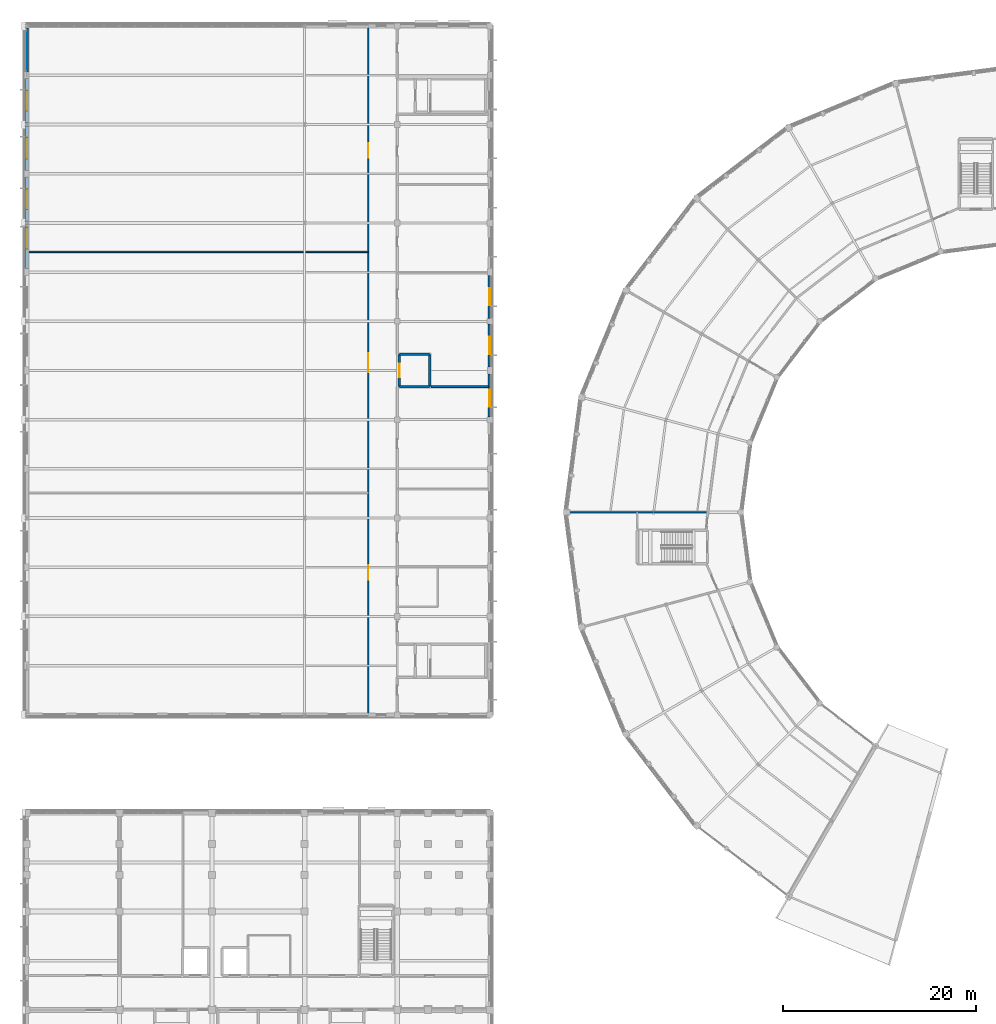
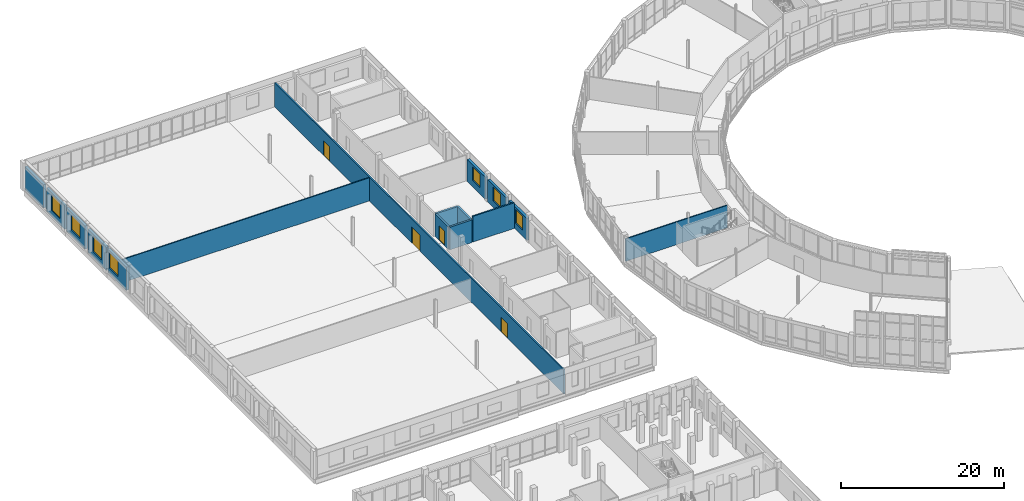
# One storey, part 161 of 185: 16 walls, 7 windows, 4 doors, 11 openings.
"""IFC4 building model written with IfcOpenShell, lengths in metres."""

import ifcopenshell
import ifcopenshell.guid

model = None  # the IFC model being written
_history = None  # IfcOwnerHistory: only IFC2X3 demands one
_inside = {}  # id of a spatial element -> (the spatial element, [elements in it])
_under = {}  # id of a project, library or spatial element -> (it, [spatial elements below it])
_declared = {}  # id of a project -> (the project, [libraries it declares])
_typed = {}  # id of a type object -> (the type object, [elements of that type])
_made_of = {}  # id of a material, layer set ... -> (it, [elements and type objects made of it])


def new_model(schema):
    """Start an empty IFC model of exactly this schema.

    Asked for "IFC4X3", IfcOpenShell would pick the latest addendum, in which some entities
    have other attributes; the version numbers below select the first issue.
    IFC2X3 requires an IfcOwnerHistory on every rooted entity: one is made here for all.
    """
    global model, _history
    if schema == "IFC4X3":
        model = ifcopenshell.file(schema_version=(4, 3, 0, 0))
    else:
        model = ifcopenshell.file(schema=schema)
    _inside.clear()
    _under.clear()
    _declared.clear()
    _typed.clear()
    _made_of.clear()
    _history = None
    if model.schema == "IFC2X3":
        org = make("IfcOrganization", Name="unknown")
        user = make(
            "IfcPersonAndOrganization",
            ThePerson=make("IfcPerson", FamilyName="unknown"),
            TheOrganization=org,
        )
        app = make(
            "IfcApplication",
            ApplicationDeveloper=org,
            Version="unknown",
            ApplicationFullName="unknown",
            ApplicationIdentifier="unknown",
        )
        _history = make(
            "IfcOwnerHistory",
            OwningUser=user,
            OwningApplication=app,
            ChangeAction="ADDED",
            CreationDate=0,
        )
    return model


def make(cls, **values):
    """One entity of the class cls with the attributes given. An attribute that is None is left unset."""
    return model.create_entity(
        cls, **{name: value for name, value in values.items() if value is not None}
    )


def rooted(cls, **values):
    """An entity with a GlobalId (a new one), such as an element, a storey or a relation."""
    return make(cls, GlobalId=ifcopenshell.guid.new(), OwnerHistory=_history, **values)


def si_unit(unit_type, name, prefix=None):
    """IfcSIUnit, for example si_unit("LENGTHUNIT", "METRE", prefix="MILLI")."""
    return make("IfcSIUnit", UnitType=unit_type, Prefix=prefix, Name=name)


def assignment(units):
    """IfcUnitAssignment: the units of a project."""
    return None if units is None else make("IfcUnitAssignment", Units=units)


def point(xyz):
    """IfcCartesianPoint."""
    return None if xyz is None else make("IfcCartesianPoint", Coordinates=xyz)


def direction(xyz):
    """IfcDirection."""
    return None if xyz is None else make("IfcDirection", DirectionRatios=xyz)


def frame(location, z_axis=None, x_axis=None):
    """IfcAxis2Placement3D, a coordinate frame: its origin and axes. An axis left out is left unset."""
    return make(
        "IfcAxis2Placement3D",
        Location=point(location),
        Axis=direction(z_axis),
        RefDirection=direction(x_axis),
    )


def frame_2d(location, x_axis=None):
    """IfcAxis2Placement2D, a coordinate frame in the plane: its origin and x axis."""
    return make(
        "IfcAxis2Placement2D", Location=point(location), RefDirection=direction(x_axis)
    )


def origin():
    """The frame at (0, 0, 0) with its axes left unset."""
    return frame((0.0, 0.0, 0.0))


def place(relative_to, where):
    """IfcLocalPlacement: puts the frame where relative to a parent placement (None: the world)."""
    return make(
        "IfcLocalPlacement", PlacementRelTo=relative_to, RelativePlacement=where
    )


def context(
    kind, dimensions, precision=None, world=None, true_north=None, identifier=None
):
    """IfcGeometricRepresentationContext, for example the 3D "Model" context."""
    return make(
        "IfcGeometricRepresentationContext",
        ContextIdentifier=identifier,
        ContextType=kind,
        CoordinateSpaceDimension=dimensions,
        Precision=precision,
        WorldCoordinateSystem=world,
        TrueNorth=true_north,
    )


def subcontext(parent, identifier, kind, view, scale=None):
    """IfcGeometricRepresentationSubContext, for example "Body" below "Model"."""
    return make(
        "IfcGeometricRepresentationSubContext",
        ContextIdentifier=identifier,
        ContextType=kind,
        ParentContext=parent,
        TargetScale=scale,
        TargetView=view,
    )


def project(units=None, contexts=None):
    """IfcProject with its units and contexts."""
    return rooted(
        "IfcProject",
        Name="project",
        RepresentationContexts=contexts,
        UnitsInContext=assignment(units),
    )


def spatial(cls, under=None, at=None, **own):
    """A site, building, storey or space (cls), placed at a placement, below another one or the project."""
    s = rooted(cls, ObjectPlacement=at, **own)
    if under is not None:
        _under.setdefault(under.id(), (under, []))[1].append(s)
    return s


def profile(cls, at=None, kind="AREA", **sizes):
    """A parametric profile (cls). Its sizes go by their IFC names, for example OverallWidth=200.0."""
    return make(cls, ProfileType=kind, Position=at, **sizes)


def rectangle(**sizes):
    """IfcRectangleProfileDef."""
    return profile("IfcRectangleProfileDef", **sizes)


def extrude(swept, where, along, depth):
    """IfcExtrudedAreaSolid: the profile swept, set in the frame where, extruded along a direction by depth."""
    return make(
        "IfcExtrudedAreaSolid",
        SweptArea=swept,
        Position=where,
        ExtrudedDirection=direction(along),
        Depth=depth,
    )


def shape(context_of_items, identifier, shape_type, items):
    """IfcShapeRepresentation: the items that make up one representation, for example the "Body"."""
    return make(
        "IfcShapeRepresentation",
        ContextOfItems=context_of_items,
        RepresentationIdentifier=identifier,
        RepresentationType=shape_type,
        Items=items,
    )


def material(Name=None, Category=None):
    """IfcMaterial."""
    return make("IfcMaterial", Name=Name, Category=Category)


def layer(
    of_material, thickness, ventilated=None, Name=None, Category=None, Priority=None
):
    """IfcMaterialLayer: one layer of a wall or slab, of a material (None: an air gap)."""
    return make(
        "IfcMaterialLayer",
        Material=of_material,
        LayerThickness=thickness,
        IsVentilated=ventilated,
        Name=Name,
        Category=Category,
        Priority=Priority,
    )


def layer_set(layers, Name=None):
    """IfcMaterialLayerSet."""
    return make("IfcMaterialLayerSet", MaterialLayers=layers, LayerSetName=Name)


def made_of(thing, what):
    """Note that an element or type object is made of a material, layer set ...; save() writes the relation."""
    if what is not None:
        _made_of.setdefault(what.id(), (what, []))[1].append(thing)
    return thing


def type_object(cls, material=None, **own):
    """A type object (cls), such as IfcWallType, which elements share."""
    return made_of(rooted(cls, **own), material)


def element(
    cls,
    number,
    at=None,
    inside=None,
    cuts=None,
    type_object=None,
    material=None,
    context=None,
    identifier="Body",
    shape_type=None,
    held_by="IfcProductDefinitionShape",
    body=None,
    shapes=None,
    **own,
):
    """One element of the class cls, such as IfcWall. Its Tag is "e" and its number.

    at: its placement. inside: the storey or other place that contains it. cuts: it is an
    opening in that element (IfcRelVoidsElement). A single representation is given by context,
    identifier, shape_type and body (its items); several are given by shapes. held_by: the class
    of the entity that holds the representations. save() writes the other relations.
    """
    e = rooted(cls, Tag="e%d" % number, ObjectPlacement=at, **own)
    if body is not None:
        shapes = [shape(context, identifier, shape_type, body)]
    if shapes is not None:
        e.Representation = make(held_by, Representations=shapes)
    if inside is not None:
        _inside.setdefault(inside.id(), (inside, []))[1].append(e)
    if cuts is not None:
        rooted(
            "IfcRelVoidsElement", RelatingBuildingElement=cuts, RelatedOpeningElement=e
        )
    if type_object is not None:
        _typed.setdefault(type_object.id(), (type_object, []))[1].append(e)
    return made_of(e, material)


def fill(opening, filler):
    """IfcRelFillsElement: the door or window that sits in an opening."""
    return rooted(
        "IfcRelFillsElement",
        RelatingOpeningElement=opening,
        RelatedBuildingElement=filler,
    )


def aggregate(whole, parts):
    """IfcRelAggregates: a whole, such as a stair, and the parts it consists of."""
    return rooted("IfcRelAggregates", RelatingObject=whole, RelatedObjects=parts)


def save(model, path):
    """Write the relations noted so far, then the file.

    IfcRelAggregates (storeys below a building ...), IfcRelContainedInSpatialStructure (elements
    in a storey), IfcRelDefinesByType, IfcRelAssociatesMaterial and IfcRelDeclares: one each for
    every whole, place, type object, material and project.
    """
    for whole, parts in _under.values():
        aggregate(whole, parts)
    for where, things in _inside.values():
        rooted(
            "IfcRelContainedInSpatialStructure",
            RelatedElements=things,
            RelatingStructure=where,
        )
    for kind, things in _typed.values():
        rooted("IfcRelDefinesByType", RelatedObjects=things, RelatingType=kind)
    for what, things in _made_of.values():
        rooted("IfcRelAssociatesMaterial", RelatedObjects=things, RelatingMaterial=what)
    for by, libraries in _declared.values():
        rooted("IfcRelDeclares", RelatingContext=by, RelatedDefinitions=libraries)
    model.write(path)


model = new_model("IFC4")

# Units and contexts
model_context = context("Model", 3, precision=1e-05, world=origin(), true_north=direction((0.0, 1.0)))
body_context = subcontext(model_context, "Body", "Model", "MODEL_VIEW")
ifc_project = project(units=[si_unit("LENGTHUNIT", "METRE"), si_unit("AREAUNIT", "SQUARE_METRE"), si_unit("VOLUMEUNIT", "CUBIC_METRE"), si_unit("PLANEANGLEUNIT", "RADIAN"), si_unit("MASSUNIT", "GRAM", prefix="KILO")], contexts=[model_context])

# Site, building, storey
site_placement = place(None, origin())
site = spatial("IfcSite", under=ifc_project, at=site_placement, CompositionType="ELEMENT")
building_placement = place(site_placement, origin())
building = spatial("IfcBuilding", under=site, at=building_placement, Name="Vondelvale Polytechnic", CompositionType="ELEMENT")
storey_placement = place(building_placement, frame((0.0, 0.0, 9.60009765625)))
storey = spatial("IfcBuildingStorey", under=building, at=storey_placement, Name="L02", CompositionType="ELEMENT", Elevation=9.60009765625)

# Wall, opening, window
ifc_material_1 = material(Name="Amsterdam School iron-spot clinker clay brickwork", Category="masonry")
ifc_layer_1 = layer(ifc_material_1, 0.35009765625)
ifc_layer_set_1 = layer_set([ifc_layer_1], Name="WL-BRICK-350")
wall_type_1 = type_object("IfcWallType", Name="WL-BRICK-350", PredefinedType="SOLIDWALL", material=ifc_layer_set_1)
wall_1_placement = place(storey_placement, frame((0.0, 97.2509765625, 0.0), z_axis=(0.0, 0.0, 1.0), x_axis=(0.0, 1.0, 0.0)))
wall_1 = element("IfcWall", 1, at=wall_1_placement, inside=storey, type_object=wall_type_1, Name="L02 exterior masonry facade wall", PredefinedType="SOLIDWALL", context=body_context, shape_type="SweptSolid", body=[
    extrude(rectangle(XDim=4.58447265625, YDim=0.35009765625, at=frame_2d((2.292236328125, 0.0))), origin(), (0.0, 0.0, 1.0), 3.47998046875),
])
opening_1_placement = place(wall_1_placement, frame((2.069091796875, 0.0, 0.85009765625)))
opening_1 = element("IfcOpeningElement", 2, at=opening_1_placement, cuts=wall_1, Name="Opening WN-0088", PredefinedType="OPENING", context=body_context, shape_type="SweptSolid", body=[
    extrude(rectangle(XDim=2.199951171875, YDim=2.300048828125, at=frame_2d((1.10009765625, 1.14990234375))), frame((0.0, 0.18505859375, 0.0), z_axis=(0.0, -1.0, 0.0), x_axis=(1.0, 0.0, 0.0)), (0.0, 0.0, 1.0), 0.3701171875),
])
ifc_material_2 = material(Name="Double-glazed low-E insulated architectural glass", Category="glass")
window_type_1 = type_object("IfcWindowType", Name="WN-STUDIO-2200x2300", PartitioningType="SINGLE_PANEL", PredefinedType="WINDOW", material=ifc_material_2)
window_1_placement = place(opening_1_placement, origin())
window_1 = element("IfcWindow", 3, at=window_1_placement, inside=storey, type_object=window_type_1, Name="L02 double-glazed architectural window WN-0088", OverallHeight=2.300048828125, OverallWidth=2.199951171875, PartitioningType="SINGLE_PANEL", PredefinedType="WINDOW", context=body_context, shape_type="SweptSolid", body=[
    extrude(rectangle(XDim=2.199951171875, YDim=2.300048828125, at=frame_2d((1.10009765625, 1.14990234375))), frame((0.0, 0.030029296875, 0.0), z_axis=(0.0, -1.0, 0.0), x_axis=(1.0, 0.0, 0.0)), (0.0, 0.0, 1.0), 0.06005859375),
])
fill(opening_1, window_1)

wall_2_placement = place(storey_placement, frame((0.0, 102.16455078125, 0.0), z_axis=(0.0, 0.0, 1.0), x_axis=(0.0, 1.0, 0.0)))
wall_2 = element("IfcWall", 4, at=wall_2_placement, inside=storey, type_object=wall_type_1, Name="L02 exterior masonry facade wall", PredefinedType="SOLIDWALL", context=body_context, shape_type="SweptSolid", body=[
    extrude(rectangle(XDim=4.58447265625, YDim=0.35009765625, at=frame_2d((2.292236328125, 0.0))), origin(), (0.0, 0.0, 1.0), 3.47998046875),
])
opening_2_placement = place(wall_2_placement, frame((1.2421875, 0.0, 0.85009765625)))
opening_2 = element("IfcOpeningElement", 5, at=opening_2_placement, cuts=wall_2, Name="Opening WN-0089", PredefinedType="OPENING", context=body_context, shape_type="SweptSolid", body=[
    extrude(rectangle(XDim=2.10009765625, YDim=2.39990234375, at=frame_2d((1.050048828125, 1.199951171875))), frame((0.0, 0.18505859375, 0.0), z_axis=(0.0, -1.0, 0.0), x_axis=(1.0, 0.0, 0.0)), (0.0, 0.0, 1.0), 0.3701171875),
])
window_type_2 = type_object("IfcWindowType", Name="WN-STUDIO-2100x2400", PartitioningType="SINGLE_PANEL", PredefinedType="WINDOW", material=ifc_material_2)
window_2_placement = place(opening_2_placement, origin())
window_2 = element("IfcWindow", 6, at=window_2_placement, inside=storey, type_object=window_type_2, Name="L02 double-glazed architectural window WN-0089", OverallHeight=2.39990234375, OverallWidth=2.10009765625, PartitioningType="SINGLE_PANEL", PredefinedType="WINDOW", context=body_context, shape_type="SweptSolid", body=[
    extrude(rectangle(XDim=2.10009765625, YDim=2.39990234375, at=frame_2d((1.050048828125, 1.199951171875))), frame((0.0, 0.030029296875, 0.0), z_axis=(0.0, -1.0, 0.0), x_axis=(1.0, 0.0, 0.0)), (0.0, 0.0, 1.0), 0.06005859375),
])
fill(opening_2, window_2)

wall_3_placement = place(storey_placement, frame((0.0, 107.450927734375, 0.0), z_axis=(0.0, 0.0, 1.0), x_axis=(0.0, 1.0, 0.0)))
wall_3 = element("IfcWall", 7, at=wall_3_placement, inside=storey, type_object=wall_type_1, Name="L02 exterior masonry facade wall", PredefinedType="SOLIDWALL", context=body_context, shape_type="SweptSolid", body=[
    extrude(rectangle(XDim=4.58447265625, YDim=0.35009765625, at=frame_2d((2.292236328125, 0.0))), origin(), (0.0, 0.0, 1.0), 3.47998046875),
])
opening_3_placement = place(wall_3_placement, frame((1.1923828125, 0.0, 0.85009765625)))
opening_3 = element("IfcOpeningElement", 8, at=opening_3_placement, cuts=wall_3, Name="Opening WN-0090", PredefinedType="OPENING", context=body_context, shape_type="SweptSolid", body=[
    extrude(rectangle(XDim=2.199951171875, YDim=2.300048828125, at=frame_2d((1.10009765625, 1.14990234375))), frame((0.0, 0.18505859375, 0.0), z_axis=(0.0, -1.0, 0.0), x_axis=(1.0, 0.0, 0.0)), (0.0, 0.0, 1.0), 0.3701171875),
])
window_3_placement = place(opening_3_placement, origin())
window_3 = element("IfcWindow", 9, at=window_3_placement, inside=storey, type_object=window_type_1, Name="L02 double-glazed architectural window WN-0090", OverallHeight=2.300048828125, OverallWidth=2.199951171875, PartitioningType="SINGLE_PANEL", PredefinedType="WINDOW", context=body_context, shape_type="SweptSolid", body=[
    extrude(rectangle(XDim=2.199951171875, YDim=2.300048828125, at=frame_2d((1.10009765625, 1.14990234375))), frame((0.0, 0.030029296875, 0.0), z_axis=(0.0, -1.0, 0.0), x_axis=(1.0, 0.0, 0.0)), (0.0, 0.0, 1.0), 0.06005859375),
])
fill(opening_3, window_3)

wall_4_placement = place(storey_placement, frame((0.0, 112.364501953125, 0.0), z_axis=(0.0, 0.0, 1.0), x_axis=(0.0, 1.0, 0.0)))
wall_4 = element("IfcWall", 10, at=wall_4_placement, inside=storey, type_object=wall_type_1, Name="L02 exterior masonry facade wall", PredefinedType="SOLIDWALL", context=body_context, shape_type="SweptSolid", body=[
    extrude(rectangle(XDim=4.58447265625, YDim=0.35009765625, at=frame_2d((2.292236328125, 0.0))), origin(), (0.0, 0.0, 1.0), 3.47998046875),
])
opening_4_placement = place(wall_4_placement, frame((1.2421875, 0.0, 0.85009765625)))
opening_4 = element("IfcOpeningElement", 11, at=opening_4_placement, cuts=wall_4, Name="Opening WN-0091", PredefinedType="OPENING", context=body_context, shape_type="SweptSolid", body=[
    extrude(rectangle(XDim=2.10009765625, YDim=2.39990234375, at=frame_2d((1.050048828125, 1.199951171875))), frame((0.0, 0.18505859375, 0.0), z_axis=(0.0, -1.0, 0.0), x_axis=(1.0, 0.0, 0.0)), (0.0, 0.0, 1.0), 0.3701171875),
])
window_4_placement = place(opening_4_placement, origin())
window_4 = element("IfcWindow", 12, at=window_4_placement, inside=storey, type_object=window_type_2, Name="L02 double-glazed architectural window WN-0091", OverallHeight=2.39990234375, OverallWidth=2.10009765625, PartitioningType="SINGLE_PANEL", PredefinedType="WINDOW", context=body_context, shape_type="SweptSolid", body=[
    extrude(rectangle(XDim=2.10009765625, YDim=2.39990234375, at=frame_2d((1.050048828125, 1.199951171875))), frame((0.0, 0.030029296875, 0.0), z_axis=(0.0, -1.0, 0.0), x_axis=(1.0, 0.0, 0.0)), (0.0, 0.0, 1.0), 0.06005859375),
])
fill(opening_4, window_4)

# Wall
wall_5_placement = place(storey_placement, frame((0.0, 117.65087890625, 0.0), z_axis=(0.0, 0.0, 1.0), x_axis=(0.0, 1.0, 0.0)))
element("IfcWall", 13, at=wall_5_placement, inside=storey, type_object=wall_type_1, Name="L02 exterior masonry facade wall", PredefinedType="SOLIDWALL", context=body_context, shape_type="SweptSolid", body=[
    extrude(rectangle(XDim=4.584716796875, YDim=0.35009765625, at=frame_2d((2.29248046875, 0.0))), origin(), (0.0, 0.0, 1.0), 3.47998046875),
])

# Wall, opening, window
wall_6_placement = place(storey_placement, frame((48.0, 86.34912109375, 0.0), z_axis=(0.0, 0.0, 1.0), x_axis=(0.0, -1.0, 0.0)))
wall_6 = element("IfcWall", 14, at=wall_6_placement, inside=storey, type_object=wall_type_1, Name="L02 exterior masonry facade wall", PredefinedType="SOLIDWALL", context=body_context, shape_type="SweptSolid", body=[
    extrude(rectangle(XDim=4.4482421875, YDim=0.35009765625, at=frame_2d((2.22412109375, 0.0))), origin(), (0.0, 0.0, 1.0), 3.31982421875),
])
opening_5_placement = place(wall_6_placement, frame((1.64404296875, 0.0, 0.949951171875)))
opening_5 = element("IfcOpeningElement", 15, at=opening_5_placement, cuts=wall_6, Name="Opening WN-0098", PredefinedType="OPENING", context=body_context, shape_type="SweptSolid", body=[
    extrude(rectangle(XDim=1.75, YDim=2.050048828125, at=frame_2d((0.875, 1.02490234375))), frame((0.0, 0.18505859375, 0.0), z_axis=(0.0, -1.0, 0.0), x_axis=(1.0, 0.0, 0.0)), (0.0, 0.0, 1.0), 0.3701171875),
])
window_type_3 = type_object("IfcWindowType", Name="WN-LAB-1750x2050", PartitioningType="SINGLE_PANEL", PredefinedType="WINDOW", material=ifc_material_2)
window_5_placement = place(opening_5_placement, origin())
window_5 = element("IfcWindow", 16, at=window_5_placement, inside=storey, type_object=window_type_3, Name="L02 double-glazed architectural window WN-0098", OverallHeight=2.050048828125, OverallWidth=1.75, PartitioningType="SINGLE_PANEL", PredefinedType="WINDOW", context=body_context, shape_type="SweptSolid", body=[
    extrude(rectangle(XDim=1.75, YDim=2.050048828125, at=frame_2d((0.875, 1.02490234375))), frame((0.0, 0.030029296875, 0.0), z_axis=(0.0, -1.0, 0.0), x_axis=(1.0, 0.0, 0.0)), (0.0, 0.0, 1.0), 0.06005859375),
])
fill(opening_5, window_5)

wall_7_placement = place(storey_placement, frame((48.0, 91.4990234375, 0.0), z_axis=(0.0, 0.0, 1.0), x_axis=(0.0, -1.0, 0.0)))
wall_7 = element("IfcWall", 17, at=wall_7_placement, inside=storey, type_object=wall_type_1, Name="L02 exterior masonry facade wall", PredefinedType="SOLIDWALL", context=body_context, shape_type="SweptSolid", body=[
    extrude(rectangle(XDim=4.447998046875, YDim=0.35009765625, at=frame_2d((2.22412109375, 0.0))), origin(), (0.0, 0.0, 1.0), 3.31982421875),
])
opening_6_placement = place(wall_7_placement, frame((1.323974609375, 0.0, 0.949951171875)))
opening_6 = element("IfcOpeningElement", 18, at=opening_6_placement, cuts=wall_7, Name="Opening WN-0099", PredefinedType="OPENING", context=body_context, shape_type="SweptSolid", body=[
    extrude(rectangle(XDim=1.800048828125, YDim=2.10009765625, at=frame_2d((0.89990234375, 1.050048828125))), frame((0.0, 0.18505859375, 0.0), z_axis=(0.0, -1.0, 0.0), x_axis=(1.0, 0.0, 0.0)), (0.0, 0.0, 1.0), 0.3701171875),
])
window_type_4 = type_object("IfcWindowType", Name="WN-LAB-1800x2100", PartitioningType="SINGLE_PANEL", PredefinedType="WINDOW", material=ifc_material_2)
window_6_placement = place(opening_6_placement, origin())
window_6 = element("IfcWindow", 19, at=window_6_placement, inside=storey, type_object=window_type_4, Name="L02 double-glazed architectural window WN-0099", OverallHeight=2.10009765625, OverallWidth=1.800048828125, PartitioningType="SINGLE_PANEL", PredefinedType="WINDOW", context=body_context, shape_type="SweptSolid", body=[
    extrude(rectangle(XDim=1.800048828125, YDim=2.10009765625, at=frame_2d((0.89990234375, 1.050048828125))), frame((0.0, 0.030029296875, 0.0), z_axis=(0.0, -1.0, 0.0), x_axis=(1.0, 0.0, 0.0)), (0.0, 0.0, 1.0), 0.06005859375),
])
fill(opening_6, window_6)

wall_8_placement = place(storey_placement, frame((48.0, 96.549072265625, 0.0), z_axis=(0.0, 0.0, 1.0), x_axis=(0.0, -1.0, 0.0)))
wall_8 = element("IfcWall", 20, at=wall_8_placement, inside=storey, type_object=wall_type_1, Name="L02 exterior masonry facade wall", PredefinedType="SOLIDWALL", context=body_context, shape_type="SweptSolid", body=[
    extrude(rectangle(XDim=4.447998046875, YDim=0.35009765625, at=frame_2d((2.22412109375, 0.0))), origin(), (0.0, 0.0, 1.0), 3.31982421875),
])
opening_7_placement = place(wall_8_placement, frame((1.34912109375, 0.0, 0.949951171875)))
opening_7 = element("IfcOpeningElement", 21, at=opening_7_placement, cuts=wall_8, Name="Opening WN-0100", PredefinedType="OPENING", context=body_context, shape_type="SweptSolid", body=[
    extrude(rectangle(XDim=1.75, YDim=2.050048828125, at=frame_2d((0.875, 1.02490234375))), frame((0.0, 0.18505859375, 0.0), z_axis=(0.0, -1.0, 0.0), x_axis=(1.0, 0.0, 0.0)), (0.0, 0.0, 1.0), 0.3701171875),
])
window_7_placement = place(opening_7_placement, origin())
window_7 = element("IfcWindow", 22, at=window_7_placement, inside=storey, type_object=window_type_3, Name="L02 double-glazed architectural window WN-0100", OverallHeight=2.050048828125, OverallWidth=1.75, PartitioningType="SINGLE_PANEL", PredefinedType="WINDOW", context=body_context, shape_type="SweptSolid", body=[
    extrude(rectangle(XDim=1.75, YDim=2.050048828125, at=frame_2d((0.875, 1.02490234375))), frame((0.0, 0.030029296875, 0.0), z_axis=(0.0, -1.0, 0.0), x_axis=(1.0, 0.0, 0.0)), (0.0, 0.0, 1.0), 0.06005859375),
])
fill(opening_7, window_7)

# Wall, openings, doors
ifc_material_3 = material(Name="Fire-rated double-layer plasterboard stud partition")
ifc_layer_2 = layer(ifc_material_3, 0.199951171875)
ifc_layer_set_2 = layer_set([ifc_layer_2], Name="WL-CORR-200")
wall_type_2 = type_object("IfcWallType", Name="WL-CORR-200", PredefinedType="PARTITIONING", material=ifc_layer_set_2)
wall_9_placement = place(storey_placement, frame((35.39990234375, 51.14990234375, 0.0), z_axis=(0.0, 0.0, 1.0), x_axis=(0.0, 1.0, 0.0)))
wall_9 = element("IfcWall", 23, at=wall_9_placement, inside=storey, type_object=wall_type_2, Name="L02 interior acoustic partition", PredefinedType="PARTITIONING", context=body_context, shape_type="SweptSolid", body=[
    extrude(rectangle(XDim=71.10009765625, YDim=0.199951171875, at=frame_2d((35.550048828125, 0.0))), origin(), (0.0, 0.0, 1.0), 3.60986328125),
])
opening_8_placement = place(wall_9_placement, frame((13.85009765625, 0.0, 0.0)))
opening_8 = element("IfcOpeningElement", 24, at=opening_8_placement, cuts=wall_9, Name="Opening ID-0117", PredefinedType="OPENING", context=body_context, shape_type="SweptSolid", body=[
    extrude(rectangle(XDim=1.5, YDim=2.199951171875, at=frame_2d((0.75, 1.10009765625))), frame((0.0, 0.10986328125, 0.0), z_axis=(0.0, -1.0, 0.0), x_axis=(1.0, 0.0, 0.0)), (0.0, 0.0, 1.0), 0.219970703125),
])
opening_9_placement = place(wall_9_placement, frame((35.35009765625, 0.0, 0.0)))
opening_9 = element("IfcOpeningElement", 25, at=opening_9_placement, cuts=wall_9, Name="Opening ID-0118", PredefinedType="OPENING", context=body_context, shape_type="SweptSolid", body=[
    extrude(rectangle(XDim=2.0, YDim=2.39990234375, at=frame_2d((1.0, 1.199951171875))), frame((0.0, 0.10986328125, 0.0), z_axis=(0.0, -1.0, 0.0), x_axis=(1.0, 0.0, 0.0)), (0.0, 0.0, 1.0), 0.219970703125),
])
opening_10_placement = place(wall_9_placement, frame((57.60009765625, 0.0, 0.0)))
opening_10 = element("IfcOpeningElement", 26, at=opening_10_placement, cuts=wall_9, Name="Opening ID-0119", PredefinedType="OPENING", context=body_context, shape_type="SweptSolid", body=[
    extrude(rectangle(XDim=1.5, YDim=2.199951171875, at=frame_2d((0.75, 1.10009765625))), frame((0.0, 0.10986328125, 0.0), z_axis=(0.0, -1.0, 0.0), x_axis=(1.0, 0.0, 0.0)), (0.0, 0.0, 1.0), 0.219970703125),
])
ifc_material_4 = material(Name="Fire-rated solid Tasmanian oak joinery")
door_type_1 = type_object("IfcDoorType", Name="DR-LAB-1500x2200", OperationType="DOUBLE_DOOR_SINGLE_SWING", PredefinedType="DOOR", material=ifc_material_4)
door_1_placement = place(opening_8_placement, origin())
door_1 = element("IfcDoor", 27, at=door_1_placement, inside=storey, type_object=door_type_1, Name="L02 interior room door ID-0117", OperationType="DOUBLE_DOOR_SINGLE_SWING", OverallHeight=2.199951171875, OverallWidth=1.5, PredefinedType="DOOR", context=body_context, shape_type="SweptSolid", body=[
    extrude(rectangle(XDim=1.5, YDim=2.199951171875, at=frame_2d((0.75, 1.10009765625))), frame((0.0, 0.02490234375, 0.0), z_axis=(0.0, -1.0, 0.0), x_axis=(1.0, 0.0, 0.0)), (0.0, 0.0, 1.0), 0.050048828125),
])
fill(opening_8, door_1)
door_2_placement = place(opening_10_placement, origin())
door_2 = element("IfcDoor", 28, at=door_2_placement, inside=storey, type_object=door_type_1, Name="L02 interior room door ID-0119", OperationType="DOUBLE_DOOR_SINGLE_SWING", OverallHeight=2.199951171875, OverallWidth=1.5, PredefinedType="DOOR", context=body_context, shape_type="SweptSolid", body=[
    extrude(rectangle(XDim=1.5, YDim=2.199951171875, at=frame_2d((0.75, 1.10009765625))), frame((0.0, 0.02490234375, 0.0), z_axis=(0.0, -1.0, 0.0), x_axis=(1.0, 0.0, 0.0)), (0.0, 0.0, 1.0), 0.050048828125),
])
fill(opening_10, door_2)
ifc_material_5 = material(Name="Brushed architectural stainless and zinc-coated metal")
door_type_2 = type_object("IfcDoorType", Name="DR-WORK-2000x2400", OperationType="DOUBLE_DOOR_SINGLE_SWING", PredefinedType="DOOR", material=ifc_material_5)
door_3_placement = place(opening_9_placement, origin())
door_3 = element("IfcDoor", 29, at=door_3_placement, inside=storey, type_object=door_type_2, Name="L02 interior room door ID-0118", OperationType="DOUBLE_DOOR_SINGLE_SWING", OverallHeight=2.39990234375, OverallWidth=2.0, PredefinedType="DOOR", context=body_context, shape_type="SweptSolid", body=[
    extrude(rectangle(XDim=2.0, YDim=2.39990234375, at=frame_2d((1.0, 1.199951171875))), frame((0.0, 0.02490234375, 0.0), z_axis=(0.0, -1.0, 0.0), x_axis=(1.0, 0.0, 0.0)), (0.0, 0.0, 1.0), 0.050048828125),
])
fill(opening_9, door_3)

# Walls
wall_10_placement = place(storey_placement, frame((41.93994140625, 85.02490234375, 0.0), z_axis=(0.0, 0.0, 1.0), x_axis=(1.0, 0.0, 0.0)))
element("IfcWall", 30, at=wall_10_placement, inside=storey, type_object=wall_type_2, Name="L02 interior acoustic partition", PredefinedType="PARTITIONING", context=body_context, shape_type="SweptSolid", body=[
    extrude(rectangle(XDim=5.91015625, YDim=0.199951171875, at=frame_2d((2.955078125, 0.0))), origin(), (0.0, 0.0, 1.0), 3.849853515625),
])
ifc_layer_3 = layer(ifc_material_3, 0.14990234375)
ifc_layer_set_3 = layer_set([ifc_layer_3], Name="WL-INT-150")
wall_type_3 = type_object("IfcWallType", Name="WL-INT-150", PredefinedType="PARTITIONING", material=ifc_layer_set_3)
wall_11_placement = place(storey_placement, frame((0.14990234375, 99.0, 0.0), z_axis=(0.0, 0.0, 1.0), x_axis=(1.0, 0.0, 0.0)))
element("IfcWall", 31, at=wall_11_placement, inside=storey, type_object=wall_type_3, Name="L02 interior acoustic partition", PredefinedType="PARTITIONING", context=body_context, shape_type="SweptSolid", body=[
    extrude(rectangle(XDim=35.25, YDim=0.14990234375, at=frame_2d((17.625, 0.0))), origin(), (0.0, 0.0, 1.0), 3.47998046875),
])
wall_12_placement = place(storey_placement, frame((70.60009765625, 72.0, 0.0), z_axis=(0.0, 0.0, 1.0), x_axis=(-1.0, 0.0, 0.0)))
element("IfcWall", 32, at=wall_12_placement, inside=storey, type_object=wall_type_3, Name="L02 interior acoustic partition", PredefinedType="PARTITIONING", context=body_context, shape_type="SweptSolid", body=[
    extrude(rectangle(XDim=14.47998046875, YDim=0.14990234375, at=frame_2d((7.239990234375, 0.0))), origin(), (0.0, 0.0, 1.0), 3.39697265625),
])
ifc_material_6 = material(Name="Concrete N40 (f'c = 40 MPa)", Category="concrete")
ifc_layer_4 = layer(ifc_material_6, 0.25)
ifc_layer_set_4 = layer_set([ifc_layer_4], Name="WL-SHAFT-250")
wall_type_4 = type_object("IfcWallType", Name="WL-SHAFT-250", PredefinedType="SOLIDWALL", material=ifc_layer_set_4)
wall_13_placement = place(storey_placement, frame((38.625, 85.02490234375, 0.0), z_axis=(0.0, 0.0, 1.0), x_axis=(1.0, 0.0, 0.0)))
element("IfcWall", 33, at=wall_13_placement, inside=storey, type_object=wall_type_4, Name="L02 GL-01 lift shaft wall S", PredefinedType="SOLIDWALL", context=body_context, shape_type="SweptSolid", body=[
    extrude(rectangle(XDim=3.14990234375, YDim=0.25, at=frame_2d((1.574951171875, 0.0))), origin(), (0.0, 0.0, 1.0), 3.39990234375),
])
wall_14_placement = place(storey_placement, frame((41.77490234375, 85.02490234375, 0.0), z_axis=(0.0, 0.0, 1.0), x_axis=(0.0, 1.0, 0.0)))
element("IfcWall", 34, at=wall_14_placement, inside=storey, type_object=wall_type_4, Name="L02 GL-01 lift shaft wall E", PredefinedType="SOLIDWALL", context=body_context, shape_type="SweptSolid", body=[
    extrude(rectangle(XDim=3.35009765625, YDim=0.25, at=frame_2d((1.675048828125, 0.0))), origin(), (0.0, 0.0, 1.0), 3.39990234375),
])
wall_15_placement = place(storey_placement, frame((41.77490234375, 88.375, 0.0), z_axis=(0.0, 0.0, 1.0), x_axis=(-1.0, 0.0, 0.0)))
element("IfcWall", 35, at=wall_15_placement, inside=storey, type_object=wall_type_4, Name="L02 GL-01 lift shaft wall N", PredefinedType="SOLIDWALL", context=body_context, shape_type="SweptSolid", body=[
    extrude(rectangle(XDim=3.14990234375, YDim=0.25, at=frame_2d((1.574951171875, 0.0))), origin(), (0.0, 0.0, 1.0), 3.39990234375),
])

# Wall, opening, door
wall_16_placement = place(storey_placement, frame((38.625, 88.375, 0.0), z_axis=(0.0, 0.0, 1.0), x_axis=(0.0, -1.0, 0.0)))
wall_16 = element("IfcWall", 36, at=wall_16_placement, inside=storey, type_object=wall_type_4, Name="L02 GL-01 lift shaft wall W", PredefinedType="SOLIDWALL", context=body_context, shape_type="SweptSolid", body=[
    extrude(rectangle(XDim=3.35009765625, YDim=0.25, at=frame_2d((1.675048828125, 0.0))), origin(), (0.0, 0.0, 1.0), 3.39990234375),
])
opening_11_placement = place(wall_16_placement, frame((0.97509765625, 0.0, 0.0)))
opening_11 = element("IfcOpeningElement", 37, at=opening_11_placement, cuts=wall_16, Name="Opening LD-048", PredefinedType="OPENING", context=body_context, shape_type="SweptSolid", body=[
    extrude(rectangle(XDim=1.39990234375, YDim=2.199951171875, at=frame_2d((0.699951171875, 1.10009765625))), frame((0.0, 0.135009765625, 0.0), z_axis=(0.0, -1.0, 0.0), x_axis=(1.0, 0.0, 0.0)), (0.0, 0.0, 1.0), 0.27001953125),
])
door_type_3 = type_object("IfcDoorType", Name="DR-LIFT-1400x2200", OperationType="DOUBLE_DOOR_SLIDING", PredefinedType="DOOR", material=ifc_material_5)
door_4_placement = place(opening_11_placement, origin())
door_4 = element("IfcDoor", 38, at=door_4_placement, inside=storey, type_object=door_type_3, Name="L02 GL-01 sliding lift landing door", OperationType="DOUBLE_DOOR_SLIDING", OverallHeight=2.199951171875, OverallWidth=1.39990234375, PredefinedType="DOOR", context=body_context, shape_type="SweptSolid", body=[
    extrude(rectangle(XDim=1.39990234375, YDim=2.199951171875, at=frame_2d((0.699951171875, 1.10009765625))), frame((0.0, 0.02490234375, 0.0), z_axis=(0.0, -1.0, 0.0), x_axis=(1.0, 0.0, 0.0)), (0.0, 0.0, 1.0), 0.050048828125),
])
fill(opening_11, door_4)

save(model, "model.ifc")
